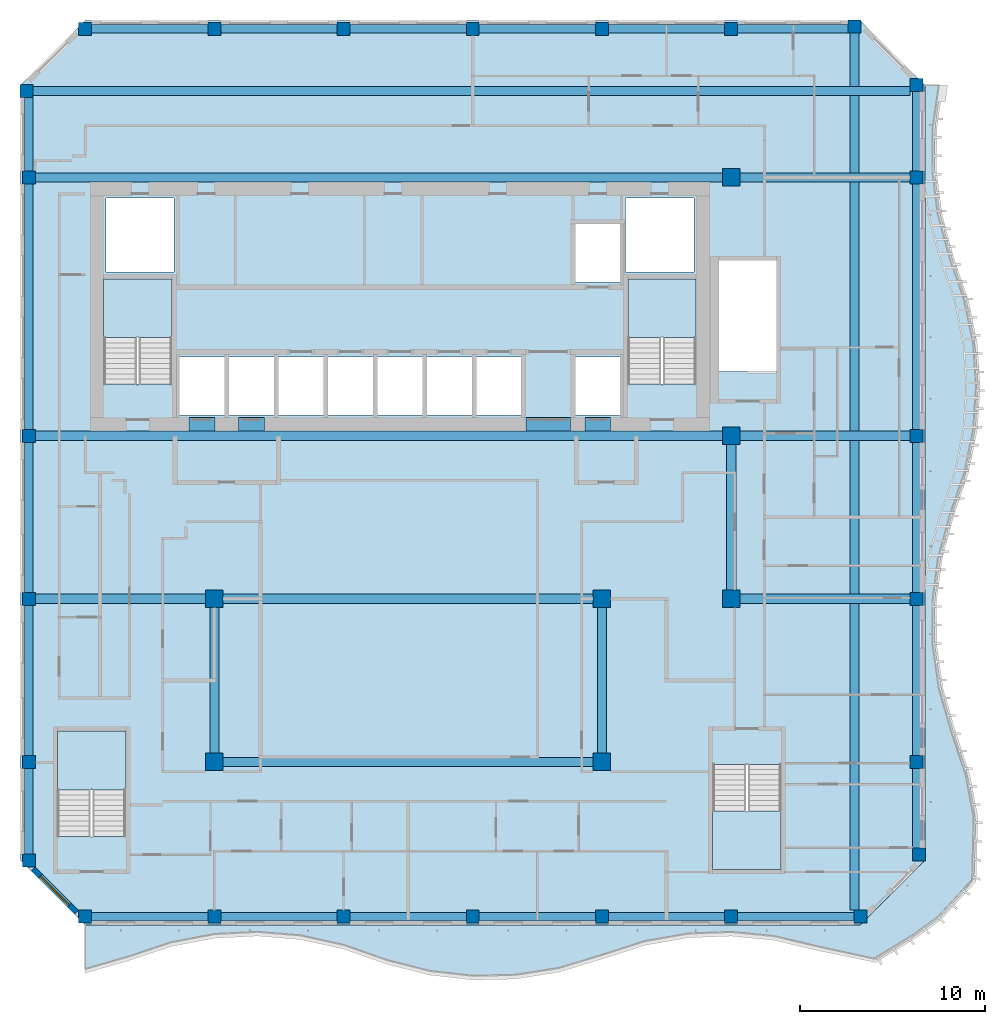
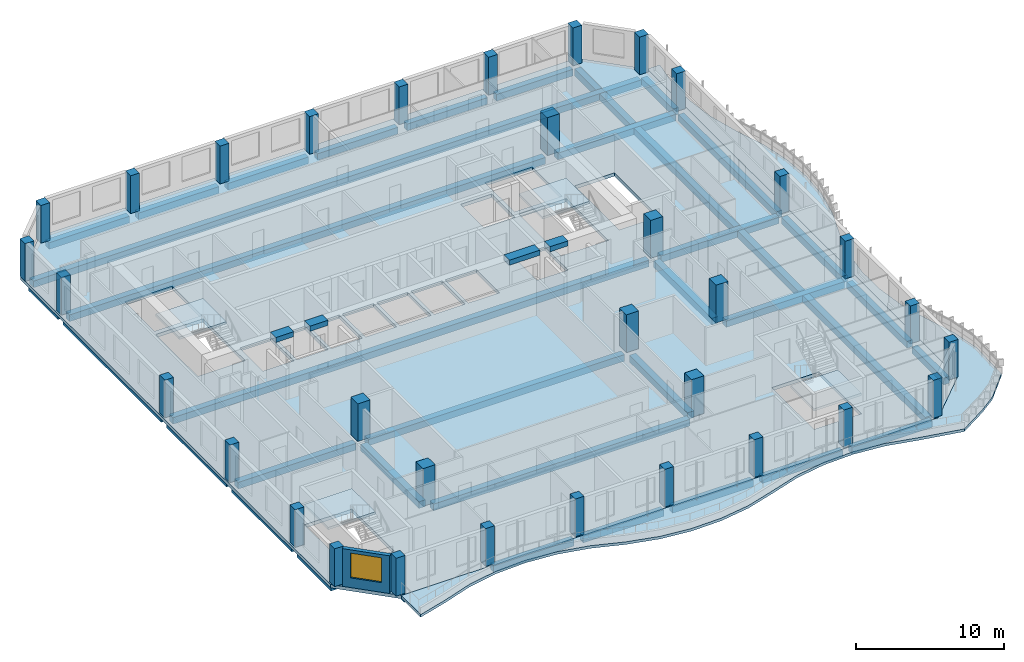
# One storey, part 1 of 18: 39 beams, 33 columns, 6 slabs, 1 wall, 1 window, 1 opening, 4 elements without a shape of their own.
"""IFC4 building model written with IfcOpenShell, lengths in metres."""

from ifc_helpers import new_model, si_unit, direction, frame, frame_2d, origin, origin_2d, place, context, subcontext, project, spatial, polyline, rectangle, outline, extrude, source, transform, mapped, material, layer, layer_set, material_profile, profile_set, type_object, element, fill, aggregate, save


model = new_model("IFC4")

# Units and contexts
model_context = context("Model", 3, precision=1e-05, world=origin(), true_north=direction((0.0, 1.0)))
body_context = subcontext(model_context, "Body", "Model", "MODEL_VIEW")
ifc_project = project(units=[si_unit("LENGTHUNIT", "METRE"), si_unit("AREAUNIT", "SQUARE_METRE"), si_unit("VOLUMEUNIT", "CUBIC_METRE"), si_unit("PLANEANGLEUNIT", "RADIAN"), si_unit("MASSUNIT", "GRAM", prefix="KILO")], contexts=[model_context])

# Site, building, storey
site_placement = place(None, origin())
site = spatial("IfcSite", under=ifc_project, at=site_placement, CompositionType="ELEMENT")
building_placement = place(site_placement, origin())
building = spatial("IfcBuilding", under=site, at=building_placement, Name="Kilnfold Tower and Market Hall", CompositionType="ELEMENT")
storey_placement = place(building_placement, frame((0.0, 0.0, 256.0)))
storey = spatial("IfcBuildingStorey", under=building, at=storey_placement, Name="L62", CompositionType="ELEMENT", Elevation=256.0)

# Columns
ifc_material_1 = material(Name="Concrete C60", Category="concrete")
ifc_material_profile_1 = material_profile(ifc_material_1, rectangle(XDim=0.699951171875, YDim=0.699951171875, at=origin_2d()), Name="RC 700x700")
ifc_profile_set_1 = profile_set([ifc_material_profile_1], Name="Concrete C60")
column_type_1 = type_object("IfcColumnType", Name="COLUMN 700X700 C60", PredefinedType="COLUMN", material=ifc_profile_set_1)
shared_shape_1 = source(origin(), body_context, "Body", "SweptSolid", [
    extrude(rectangle(XDim=0.699951171875, YDim=0.699951171875, at=origin_2d()), origin(), (0.0, 0.0, 1.0), 3.1201171875),
])
for number, where, z_axis, x_axis, name in (
    (1, (-19.181884765625, 26.681884765625, 0.0), (0.0, 0.0, 1.0), (1.0, 0.0, 0.0), "Column C-B7-1G"),
    (2, (-19.050048828125, -15.0, 0.0), (0.0, 0.0, 1.0), (1.0, 0.0, 0.0), "Column C-B7-1B"),
    (3, (-19.050048828125, -9.666748046875, 0.0), (0.0, 0.0, 1.0), (1.0, 0.0, 0.0), "Column C-B7-1C"),
    (4, (-19.050048828125, -0.833251953125, 0.0), (0.0, 0.0, 1.0), (1.0, 0.0, 0.0), "Column C-B7-1D"),
    (5, (-19.050048828125, 8.0, 0.0), (0.0, 0.0, 1.0), (1.0, 0.0, 0.0), "Column C-B7-1E"),
    (6, (-19.050048828125, 22.0, 0.0), (0.0, 0.0, 1.0), (1.0, 0.0, 0.0), "Column C-B7-1F"),
    (7, (-16.0, -18.050048828125, 0.0), (0.0, 0.0, 1.0), (1.0, 0.0, 0.0), "Column C-B7-2A"),
    (8, (-16.0, 30.050048828125, 0.0), (0.0, 0.0, 1.0), (1.0, 0.0, 0.0), "Column C-B7-2H"),
    (9, (-9.0, -18.050048828125, 0.0), (0.0, 0.0, 1.0), (1.0, 0.0, 0.0), "Column C-B7-3A"),
    (10, (-9.0, 30.050048828125, 0.0), (0.0, 0.0, 1.0), (1.0, 0.0, 0.0), "Column C-B7-3H"),
    (11, (-2.0, -18.050048828125, 0.0), (0.0, 0.0, 1.0), (1.0, 0.0, 0.0), "Column C-B7-4A"),
    (12, (-2.0, 30.050048828125, 0.0), (0.0, 0.0, 1.0), (1.0, 0.0, 0.0), "Column C-B7-4H"),
    (13, (5.0, -18.050048828125, 0.0), (0.0, 0.0, 1.0), (1.0, 0.0, 0.0), "Column C-B7-5A"),
    (14, (5.0, 30.050048828125, 0.0), (0.0, 0.0, 1.0), (1.0, 0.0, 0.0), "Column C-B7-5H"),
    (15, (12.0, -18.050048828125, 0.0), (0.0, 0.0, 1.0), (1.0, 0.0, 0.0), "Column C-B7-6A"),
    (16, (12.0, 30.050048828125, 0.0), (0.0, 0.0, 1.0), (1.0, 0.0, 0.0), "Column C-B7-6H"),
    (17, (19.0, -18.050048828125, 0.0), (0.0, 0.0, 1.0), (1.0, 0.0, 0.0), "Column C-B7-7A"),
    (18, (19.0, 30.050048828125, 0.0), (0.0, 0.0, 1.0), (1.0, 0.0, 0.0), "Column C-B7-7H"),
    (19, (25.681884765625, 30.181884765625, 0.0), (0.0, 0.0, 1.0), (1.0, 0.0, 0.0), "Column C-B7-8H"),
    (20, (26.0, -18.050048828125, 0.0), (0.0, 0.0, 1.0), (1.0, 0.0, 0.0), "Column C-B7-8A"),
    (21, (29.050048828125, -9.666748046875, 0.0), (0.0, 0.0, 1.0), (1.0, 0.0, 0.0), "Column C-B7-9C"),
    (22, (29.050048828125, -0.833251953125, 0.0), (0.0, 0.0, 1.0), (1.0, 0.0, 0.0), "Column C-B7-9D"),
    (23, (29.050048828125, 8.0, 0.0), (0.0, 0.0, 1.0), (1.0, 0.0, 0.0), "Column C-B7-9E"),
    (24, (29.050048828125, 22.0, 0.0), (0.0, 0.0, 1.0), (1.0, 0.0, 0.0), "Column C-B7-9F"),
    (25, (29.050048828125, 27.0, 0.0), (0.0, 0.0, 1.0), (1.0, 0.0, 0.0), "Column C-B7-9G"),
    (26, (29.181884765625, -14.681884765625, 0.0), (0.0, 0.0, 1.0), (1.0, 0.0, 0.0), "Column C-B7-9B"),
):
    element("IfcColumn", number, at=place(storey_placement, frame(where, z_axis=z_axis, x_axis=x_axis)), inside=storey, type_object=column_type_1, Name=name, PredefinedType="COLUMN", context=body_context, shape_type="MappedRepresentation", body=[
        mapped(shared_shape_1, transform((0.0, 0.0, 0.0))),
    ])
ifc_material_2 = material(Name="Concrete C60", Category="concrete")
ifc_material_profile_2 = material_profile(ifc_material_2, rectangle(XDim=0.949951171875, YDim=0.949951171875, at=origin_2d()), Name="RC 950x950")
ifc_profile_set_2 = profile_set([ifc_material_profile_2], Name="Concrete C60")
column_type_2 = type_object("IfcColumnType", Name="COLUMN 950X950 C60", PredefinedType="COLUMN", material=ifc_profile_set_2)
shared_shape_2 = source(origin(), body_context, "Body", "SweptSolid", [
    extrude(rectangle(XDim=0.949951171875, YDim=0.949951171875, at=origin_2d()), origin(), (0.0, 0.0, 1.0), 3.1201171875),
])
for number, where, z_axis, x_axis, name in (
    (27, (-9.0, -9.666748046875, 0.0), (0.0, 0.0, 1.0), (1.0, 0.0, 0.0), "Column C-B7-3C"),
    (28, (-9.0, -0.833251953125, 0.0), (0.0, 0.0, 1.0), (1.0, 0.0, 0.0), "Column C-B7-3D"),
    (29, (12.0, -9.666748046875, 0.0), (0.0, 0.0, 1.0), (1.0, 0.0, 0.0), "Column C-B7-6C"),
    (30, (12.0, -0.833251953125, 0.0), (0.0, 0.0, 1.0), (1.0, 0.0, 0.0), "Column C-B7-6D"),
    (31, (19.0, -0.833251953125, 0.0), (0.0, 0.0, 1.0), (1.0, 0.0, 0.0), "Column C-B7-7D"),
    (32, (19.0, 8.0, 0.0), (0.0, 0.0, 1.0), (1.0, 0.0, 0.0), "Column C-B7-7E"),
    (33, (19.0, 22.0, 0.0), (0.0, 0.0, 1.0), (1.0, 0.0, 0.0), "Column C-B7-7F"),
):
    element("IfcColumn", number, at=place(storey_placement, frame(where, z_axis=z_axis, x_axis=x_axis)), inside=storey, type_object=column_type_2, Name=name, PredefinedType="COLUMN", context=body_context, shape_type="MappedRepresentation", body=[
        mapped(shared_shape_2, transform((0.0, 0.0, 0.0))),
    ])

# Beams
ifc_material_3 = material(Name="Concrete C60", Category="concrete")
ifc_material_profile_3 = material_profile(ifc_material_3, rectangle(XDim=0.75, YDim=0.419921875, at=origin_2d()), Name="RC 750x420")
ifc_profile_set_3 = profile_set([ifc_material_profile_3], Name="Concrete C60")
beam_type_1 = type_object("IfcBeamType", Name="COUPLING BEAM 750X420 C60", PredefinedType="BEAM", material=ifc_profile_set_3)
shared_shape_3 = source(origin(), body_context, "Body", "SweptSolid", [
    extrude(rectangle(XDim=0.75, YDim=0.419921875, at=origin_2d()), origin(), (0.0, 0.0, 1.0), 1.400146484375),
])
beam_1_placement = place(storey_placement, frame((-10.3701171875, 8.625, 2.909912109375), z_axis=(1.0, 0.0, 0.0), x_axis=(0.0, 1.0, 0.0)))
element("IfcBeam", 34, at=beam_1_placement, inside=storey, type_object=beam_type_1, Name="Coupling beam CB420-60-CORE.34", PredefinedType="BEAM", context=body_context, shape_type="MappedRepresentation", body=[
    mapped(shared_shape_3, transform((0.0, 0.0, 0.0))),
])
shared_shape_4 = source(origin(), body_context, "Body", "SweptSolid", [
    extrude(rectangle(XDim=0.75, YDim=0.419921875, at=origin_2d()), origin(), (0.0, 0.0, 1.0), 1.39990234375),
])
for number, where, z_axis, x_axis, name in (
    (35, (-7.68994140625, 8.625, 2.909912109375), (1.0, 0.0, 0.0), (0.0, 1.0, 0.0), "Coupling beam CB420-60-CORE.35"),
    (36, (11.070068359375, 8.625, 2.909912109375), (1.0, 0.0, 0.0), (0.0, 1.0, 0.0), "Coupling beam CB420-60-CORE.37"),
):
    element("IfcBeam", number, at=place(storey_placement, frame(where, z_axis=z_axis, x_axis=x_axis)), inside=storey, type_object=beam_type_1, Name=name, PredefinedType="BEAM", context=body_context, shape_type="MappedRepresentation", body=[
        mapped(shared_shape_4, transform((0.0, 0.0, 0.0))),
    ])
shared_shape_5 = source(origin(), body_context, "Body", "SweptSolid", [
    extrude(rectangle(XDim=0.75, YDim=0.419921875, at=origin_2d()), origin(), (0.0, 0.0, 1.0), 2.400146484375),
])
beam_2_placement = place(storey_placement, frame((7.889892578125, 8.625, 2.909912109375), z_axis=(1.0, 0.0, 0.0), x_axis=(0.0, 1.0, 0.0)))
element("IfcBeam", 37, at=beam_2_placement, inside=storey, type_object=beam_type_1, Name="Coupling beam CB420-60-CORE.36", PredefinedType="BEAM", context=body_context, shape_type="MappedRepresentation", body=[
    mapped(shared_shape_5, transform((0.0, 0.0, 0.0))),
])
ifc_material_4 = material(Name="Concrete C45", Category="concrete")
ifc_material_profile_4 = material_profile(ifc_material_4, rectangle(XDim=0.449951171875, YDim=0.550048828125, at=origin_2d()), Name="RC 450x550")
ifc_profile_set_4 = profile_set([ifc_material_profile_4], Name="Concrete C45")
beam_type_2 = type_object("IfcBeamType", Name="EDGE BEAM 450X550 C45", PredefinedType="BEAM", material=ifc_profile_set_4)
shared_shape_6 = source(origin(), body_context, "Body", "SweptSolid", [
    extrude(rectangle(XDim=0.449951171875, YDim=0.550048828125, at=origin_2d()), origin(), (0.0, 0.0, 1.0), 13.2998046875),
])
for number, where, z_axis, x_axis, name in (
    (38, (-19.050048828125, 8.35009765625, -0.554931640625), (0.0, 1.0, 0.0), (-1.0, 0.0, 0.0), "Beam EB550-B7.50"),
    (39, (29.050048828125, 8.35009765625, -0.554931640625), (0.0, 1.0, 0.0), (-1.0, 0.0, 0.0), "Beam EB550-B7.58"),
):
    element("IfcBeam", number, at=place(storey_placement, frame(where, z_axis=z_axis, x_axis=x_axis)), inside=storey, type_object=beam_type_2, Name=name, PredefinedType="BEAM", context=body_context, shape_type="MappedRepresentation", body=[
        mapped(shared_shape_6, transform((0.0, 0.0, 0.0))),
    ])
shared_shape_7 = source(origin(), body_context, "Body", "SweptSolid", [
    extrude(rectangle(XDim=0.449951171875, YDim=0.550048828125, at=origin_2d()), origin(), (0.0, 0.0, 1.0), 6.2998046875),
])
for number, where, z_axis, x_axis, name in (
    (40, (-15.64990234375, -18.050048828125, -0.554931640625), (1.0, 0.0, 0.0), (0.0, 1.0, 0.0), "Beam EB550-B7.59"),
    (41, (-8.64990234375, -18.050048828125, -0.554931640625), (1.0, 0.0, 0.0), (0.0, 1.0, 0.0), "Beam EB550-B7.60"),
    (42, (-1.64990234375, -18.050048828125, -0.554931640625), (1.0, 0.0, 0.0), (0.0, 1.0, 0.0), "Beam EB550-B7.61"),
    (43, (5.35009765625, -18.050048828125, -0.554931640625), (1.0, 0.0, 0.0), (0.0, 1.0, 0.0), "Beam EB550-B7.62"),
    (44, (12.35009765625, -18.050048828125, -0.554931640625), (1.0, 0.0, 0.0), (0.0, 1.0, 0.0), "Beam EB550-B7.63"),
    (45, (19.35009765625, -18.050048828125, -0.554931640625), (1.0, 0.0, 0.0), (0.0, 1.0, 0.0), "Beam EB550-B7.64"),
    (46, (-15.64990234375, 30.050048828125, -0.554931640625), (1.0, 0.0, 0.0), (0.0, 1.0, 0.0), "Beam EB550-B7.72"),
    (47, (-8.64990234375, 30.050048828125, -0.554931640625), (1.0, 0.0, 0.0), (0.0, 1.0, 0.0), "Beam EB550-B7.73"),
    (48, (-1.64990234375, 30.050048828125, -0.554931640625), (1.0, 0.0, 0.0), (0.0, 1.0, 0.0), "Beam EB550-B7.74"),
    (49, (5.35009765625, 30.050048828125, -0.554931640625), (1.0, 0.0, 0.0), (0.0, 1.0, 0.0), "Beam EB550-B7.75"),
    (50, (12.35009765625, 30.050048828125, -0.554931640625), (1.0, 0.0, 0.0), (0.0, 1.0, 0.0), "Beam EB550-B7.76"),
):
    element("IfcBeam", number, at=place(storey_placement, frame(where, z_axis=z_axis, x_axis=x_axis)), inside=storey, type_object=beam_type_2, Name=name, PredefinedType="BEAM", context=body_context, shape_type="MappedRepresentation", body=[
        mapped(shared_shape_7, transform((0.0, 0.0, 0.0))),
    ])
ifc_material_5 = material(Name="Concrete C45", Category="concrete")
ifc_material_profile_5 = material_profile(ifc_material_5, rectangle(XDim=0.5, YDim=0.550048828125, at=origin_2d()), Name="RC 500x550")
ifc_profile_set_5 = profile_set([ifc_material_profile_5], Name="Concrete C45")
beam_type_3 = type_object("IfcBeamType", Name="BEAM 500X550 C45", PredefinedType="BEAM", material=ifc_profile_set_5)
shared_shape_8 = source(origin(), body_context, "Body", "SweptSolid", [
    extrude(rectangle(XDim=0.5, YDim=0.550048828125, at=origin_2d()), origin(), (0.0, 0.0, 1.0), 9.224853515625),
])
for number, where, z_axis, x_axis, name in (
    (51, (-18.699951171875, -0.830078125, -0.554931640625), (1.0, 0.0, 0.0), (0.0, 1.0, 0.0), "Beam BB550-B7.65"),
    (52, (19.47509765625, -0.830078125, -0.554931640625), (1.0, 0.0, 0.0), (0.0, 1.0, 0.0), "Beam BB550-B7.66"),
    (53, (19.47509765625, 8.0, -0.554931640625), (1.0, 0.0, 0.0), (0.0, 1.0, 0.0), "Beam BB550-B7.68"),
    (54, (19.47509765625, 22.0, -0.554931640625), (1.0, 0.0, 0.0), (0.0, 1.0, 0.0), "Beam BB550-B7.70"),
):
    element("IfcBeam", number, at=place(storey_placement, frame(where, z_axis=z_axis, x_axis=x_axis)), inside=storey, type_object=beam_type_3, Name=name, PredefinedType="BEAM", context=body_context, shape_type="MappedRepresentation", body=[
        mapped(shared_shape_8, transform((0.0, 0.0, 0.0))),
    ])
shared_shape_9 = source(origin(), body_context, "Body", "SweptSolid", [
    extrude(rectangle(XDim=0.5, YDim=0.550048828125, at=origin_2d()), origin(), (0.0, 0.0, 1.0), 37.224853515625),
])
for number, where, z_axis, x_axis, name in (
    (55, (-18.699951171875, 8.0, -0.554931640625), (1.0, 0.0, 0.0), (0.0, 1.0, 0.0), "Beam BB550-B7.67"),
    (56, (-18.699951171875, 22.0, -0.554931640625), (1.0, 0.0, 0.0), (0.0, 1.0, 0.0), "Beam BB550-B7.69"),
):
    element("IfcBeam", number, at=place(storey_placement, frame(where, z_axis=z_axis, x_axis=x_axis)), inside=storey, type_object=beam_type_3, Name=name, PredefinedType="BEAM", context=body_context, shape_type="MappedRepresentation", body=[
        mapped(shared_shape_9, transform((0.0, 0.0, 0.0))),
    ])
shared_shape_10 = source(origin(), body_context, "Body", "SweptSolid", [
    extrude(rectangle(XDim=0.5, YDim=0.550048828125, at=origin_2d()), origin(), (0.0, 0.0, 1.0), 47.53173828125),
])
for number, where, z_axis, x_axis, name in (
    (57, (-18.831787109375, 26.679931640625, -0.554931640625), (1.0, 0.0, 0.0), (0.0, 1.0, 0.0), "Beam BB550-B7.71"),
    (58, (25.679931640625, -17.699951171875, -0.554931640625), (0.0, 1.0, 0.0), (-1.0, 0.0, 0.0), "Beam BB550-B7.85"),
):
    element("IfcBeam", number, at=place(storey_placement, frame(where, z_axis=z_axis, x_axis=x_axis)), inside=storey, type_object=beam_type_3, Name=name, PredefinedType="BEAM", context=body_context, shape_type="MappedRepresentation", body=[
        mapped(shared_shape_10, transform((0.0, 0.0, 0.0))),
    ])
shared_shape_11 = source(origin(), body_context, "Body", "SweptSolid", [
    extrude(rectangle(XDim=0.449951171875, YDim=0.550048828125, at=origin_2d()), origin(), (0.0, 0.0, 1.0), 5.981689453125),
])
beam_3_placement = place(storey_placement, frame((19.35009765625, 30.050048828125, -0.554931640625), z_axis=(1.0, 0.0, 0.0), x_axis=(0.0, 1.0, 0.0)))
element("IfcBeam", 59, at=beam_3_placement, inside=storey, type_object=beam_type_2, Name="Beam EB550-B7.77", PredefinedType="BEAM", context=body_context, shape_type="MappedRepresentation", body=[
    mapped(shared_shape_11, transform((0.0, 0.0, 0.0))),
])
shared_shape_12 = source(origin(), body_context, "Body", "SweptSolid", [
    extrude(rectangle(XDim=0.449951171875, YDim=0.550048828125, at=origin_2d()), origin(), (0.0, 0.0, 1.0), 4.63330078125),
])
beam_4_placement = place(storey_placement, frame((-19.050048828125, -14.64990234375, -0.554931640625), z_axis=(0.0, 1.0, 0.0), x_axis=(-1.0, 0.0, 0.0)))
element("IfcBeam", 60, at=beam_4_placement, inside=storey, type_object=beam_type_2, Name="Beam EB550-B7.78", PredefinedType="BEAM", context=body_context, shape_type="MappedRepresentation", body=[
    mapped(shared_shape_12, transform((0.0, 0.0, 0.0))),
])
shared_shape_13 = source(origin(), body_context, "Body", "SweptSolid", [
    extrude(rectangle(XDim=0.449951171875, YDim=0.550048828125, at=origin_2d()), origin(), (0.0, 0.0, 1.0), 8.13330078125),
])
for number, where, z_axis, x_axis, name in (
    (61, (-19.050048828125, -9.316650390625, -0.554931640625), (0.0, 1.0, 0.0), (-1.0, 0.0, 0.0), "Beam EB550-B7.79"),
    (62, (-19.050048828125, -0.4833984375, -0.554931640625), (0.0, 1.0, 0.0), (-1.0, 0.0, 0.0), "Beam EB550-B7.80"),
    (63, (29.050048828125, -9.316650390625, -0.554931640625), (0.0, 1.0, 0.0), (-1.0, 0.0, 0.0), "Beam EB550-B7.87"),
    (64, (29.050048828125, -0.4833984375, -0.554931640625), (0.0, 1.0, 0.0), (-1.0, 0.0, 0.0), "Beam EB550-B7.88"),
):
    element("IfcBeam", number, at=place(storey_placement, frame(where, z_axis=z_axis, x_axis=x_axis)), inside=storey, type_object=beam_type_2, Name=name, PredefinedType="BEAM", context=body_context, shape_type="MappedRepresentation", body=[
        mapped(shared_shape_13, transform((0.0, 0.0, 0.0))),
    ])
shared_shape_14 = source(origin(), body_context, "Body", "SweptSolid", [
    extrude(rectangle(XDim=0.449951171875, YDim=0.550048828125, at=origin_2d()), origin(), (0.0, 0.0, 1.0), 3.981689453125),
])
beam_5_placement = place(storey_placement, frame((-19.050048828125, 22.35009765625, -0.554931640625), z_axis=(0.0, 1.0, 0.0), x_axis=(-1.0, 0.0, 0.0)))
element("IfcBeam", 65, at=beam_5_placement, inside=storey, type_object=beam_type_2, Name="Beam EB550-B7.81", PredefinedType="BEAM", context=body_context, shape_type="MappedRepresentation", body=[
    mapped(shared_shape_14, transform((0.0, 0.0, 0.0))),
])
shared_shape_15 = source(origin(), body_context, "Body", "SweptSolid", [
    extrude(rectangle(XDim=0.5, YDim=0.550048828125, at=origin_2d()), origin(), (0.0, 0.0, 1.0), 7.88330078125),
])
for number, where, z_axis, x_axis, name in (
    (66, (-9.0, -9.191650390625, -0.554931640625), (0.0, 1.0, 0.0), (-1.0, 0.0, 0.0), "Beam BB550-B7.82"),
    (67, (12.0, -9.191650390625, -0.554931640625), (0.0, 1.0, 0.0), (-1.0, 0.0, 0.0), "Beam BB550-B7.83"),
    (68, (19.0, -0.3583984375, -0.554931640625), (0.0, 1.0, 0.0), (-1.0, 0.0, 0.0), "Beam BB550-B7.84"),
):
    element("IfcBeam", number, at=place(storey_placement, frame(where, z_axis=z_axis, x_axis=x_axis)), inside=storey, type_object=beam_type_3, Name=name, PredefinedType="BEAM", context=body_context, shape_type="MappedRepresentation", body=[
        mapped(shared_shape_15, transform((0.0, 0.0, 0.0))),
    ])
shared_shape_16 = source(origin(), body_context, "Body", "SweptSolid", [
    extrude(rectangle(XDim=0.449951171875, YDim=0.550048828125, at=origin_2d()), origin(), (0.0, 0.0, 1.0), 4.315185546875),
])
beam_6_placement = place(storey_placement, frame((29.050048828125, -14.331787109375, -0.554931640625), z_axis=(0.0, 1.0, 0.0), x_axis=(-1.0, 0.0, 0.0)))
element("IfcBeam", 69, at=beam_6_placement, inside=storey, type_object=beam_type_2, Name="Beam EB550-B7.86", PredefinedType="BEAM", context=body_context, shape_type="MappedRepresentation", body=[
    mapped(shared_shape_16, transform((0.0, 0.0, 0.0))),
])
shared_shape_17 = source(origin(), body_context, "Body", "SweptSolid", [
    extrude(rectangle(XDim=0.449951171875, YDim=0.550048828125, at=origin_2d()), origin(), (0.0, 0.0, 1.0), 4.2998046875),
])
beam_7_placement = place(storey_placement, frame((29.050048828125, 22.35009765625, -0.554931640625), z_axis=(0.0, 1.0, 0.0), x_axis=(-1.0, 0.0, 0.0)))
element("IfcBeam", 70, at=beam_7_placement, inside=storey, type_object=beam_type_2, Name="Beam EB550-B7.89", PredefinedType="BEAM", context=body_context, shape_type="MappedRepresentation", body=[
    mapped(shared_shape_17, transform((0.0, 0.0, 0.0))),
])
shared_shape_18 = source(origin(), body_context, "Body", "SweptSolid", [
    extrude(rectangle(XDim=0.5, YDim=0.550048828125, at=origin_2d()), origin(), (0.0, 0.0, 1.0), 20.0498046875),
])
for number, where, z_axis, x_axis, name in (
    (71, (-8.52490234375, -9.669921875, -0.554931640625), (1.0, 0.0, 0.0), (0.0, 1.0, 0.0), "Beam BB550-B7.90"),
    (72, (-8.52490234375, -0.830078125, -0.554931640625), (1.0, 0.0, 0.0), (0.0, 1.0, 0.0), "Beam BB550-B7.91"),
):
    element("IfcBeam", number, at=place(storey_placement, frame(where, z_axis=z_axis, x_axis=x_axis)), inside=storey, type_object=beam_type_3, Name=name, PredefinedType="BEAM", context=body_context, shape_type="MappedRepresentation", body=[
        mapped(shared_shape_18, transform((0.0, 0.0, 0.0))),
    ])

# Slabs
ifc_material_6 = material(Name="Concrete C45", Category="concrete")
ifc_layer_1 = layer(ifc_material_6, 0.280029296875)
ifc_layer_set_1 = layer_set([ifc_layer_1], Name="Concrete C45")
slab_type_1 = type_object("IfcSlabType", Name="FLOOR SLAB 280", PredefinedType="FLOOR", material=ifc_layer_set_1)
shared_shape_19 = source(origin(), body_context, "Body", "SweptSolid", [
    extrude(outline(polyline([(-16.0, -18.5), (26.0, -18.5), (29.5, -15.0), (29.5, 27.0), (26.0, 30.5), (-16.0, 30.5), (-19.5, 27.0), (-19.5, -15.0), (-16.0, -18.5)]), holes=[polyline([(-13.800537109375, -13.699462890625), (-17.49951171875, -13.699462890625), (-17.49951171875, -8.00048828125), (-13.800537109375, -8.00048828125), (-13.800537109375, -13.699462890625)]), polyline([(-11.300537109375, 10.800537109375), (-14.99951171875, 10.800537109375), (-14.99951171875, 16.49951171875), (-11.300537109375, 16.49951171875), (-11.300537109375, 10.800537109375)]), polyline([(-11.175048828125, 16.875), (-14.875, 16.875), (-14.875, 20.875), (-11.175048828125, 20.875), (-11.175048828125, 16.875)]), polyline([(-8.455078125, 9.125), (-10.885009765625, 9.125), (-10.885009765625, 12.27490234375), (-8.455078125, 12.27490234375), (-8.455078125, 9.125)]), polyline([(-5.77490234375, 9.125), (-8.205078125, 9.125), (-8.205078125, 12.27490234375), (-5.77490234375, 12.27490234375), (-5.77490234375, 9.125)]), polyline([(-3.094970703125, 9.125), (-5.52490234375, 9.125), (-5.52490234375, 12.27490234375), (-3.094970703125, 12.27490234375), (-3.094970703125, 9.125)]), polyline([(-0.4150390625, 9.125), (-2.844970703125, 9.125), (-2.844970703125, 12.27490234375), (-0.4150390625, 12.27490234375), (-0.4150390625, 9.125)]), polyline([(2.264892578125, 9.125), (-0.1650390625, 9.125), (-0.1650390625, 12.27490234375), (2.264892578125, 12.27490234375), (2.264892578125, 9.125)]), polyline([(4.945068359375, 9.125), (2.514892578125, 9.125), (2.514892578125, 12.27490234375), (4.945068359375, 12.27490234375), (4.945068359375, 9.125)]), polyline([(7.625, 9.125), (5.195068359375, 9.125), (5.195068359375, 12.27490234375), (7.625, 12.27490234375), (7.625, 9.125)]), polyline([(12.985107421875, 9.125), (10.554931640625, 9.125), (10.554931640625, 12.27490234375), (12.985107421875, 12.27490234375), (12.985107421875, 9.125)]), polyline([(12.985107421875, 16.324951171875), (10.554931640625, 16.324951171875), (10.554931640625, 19.47509765625), (12.985107421875, 19.47509765625), (12.985107421875, 16.324951171875)]), polyline([(16.97509765625, 16.875), (13.27490234375, 16.875), (13.27490234375, 20.875), (16.97509765625, 20.875), (16.97509765625, 16.875)]), polyline([(17.099609375, 10.800537109375), (13.400390625, 10.800537109375), (13.400390625, 16.49951171875), (17.099609375, 16.49951171875), (17.099609375, 10.800537109375)]), polyline([(18.00048828125, -9.800537109375), (21.699462890625, -9.800537109375), (21.699462890625, -15.49951171875), (18.00048828125, -15.49951171875), (18.00048828125, -9.800537109375)]), polyline([(21.449462890625, 11.50048828125), (18.3505859375, 11.50048828125), (18.3505859375, 17.49951171875), (21.449462890625, 17.49951171875), (21.449462890625, 11.50048828125)])]), origin(), (0.0, 0.0, 1.0), 0.280029296875),
])
slab_1_placement = place(storey_placement, frame((0.0, 0.0, -0.280029296875)))
element("IfcSlab", 73, at=slab_1_placement, inside=storey, type_object=slab_type_1, Name="Floor slab L62", PredefinedType="FLOOR", context=body_context, shape_type="MappedRepresentation", body=[
    mapped(shared_shape_19, transform((0.0, 0.0, 0.0))),
])
ifc_material_7 = material(Name="Concrete C40/50", Category="concrete")
ifc_layer_2 = layer(ifc_material_7, 0.219970703125)
ifc_layer_set_2 = layer_set([ifc_layer_2], Name="Concrete C40/50")
slab_type_2 = type_object("IfcSlabType", Name="BALCONY SLAB 220", PredefinedType="FLOOR", material=ifc_layer_set_2)
shared_shape_20 = source(origin(), body_context, "Body", "SweptSolid", [
    extrude(outline(polyline([(-16.0, -18.5), (26.0, -18.5), (29.5, -15.0), (29.5, 27.0), (30.482421875, 27.0), (30.1484375, 24.666748046875), (30.130859375, 22.333251953125), (30.428955078125, 20.0), (31.059814453125, 17.666748046875), (31.862060546875, 15.333251953125), (32.34228515625, 13.0), (32.5, 10.666748046875), (32.343505859375, 8.333251953125), (31.864501953125, 6.0), (31.06298828125, 3.666748046875), (30.4306640625, 1.333251953125), (30.13134765625, -1.0), (30.147705078125, -3.333251953125), (30.480712890625, -5.666748046875), (31.1494140625, -8.0), (31.930419921875, -10.333251953125), (32.374755859375, -12.666748046875), (32.27001953125, -16.1474609375), (30.38134765625, -18.214599609375), (29.02978515625, -19.1962890625), (26.844482421875, -20.53857421875), (23.666748046875, -19.88671875), (21.333251953125, -19.33349609375), (19.0, -19.107421875), (16.666748046875, -19.19580078125), (14.333251953125, -19.603515625), (12.0, -20.35302734375), (9.666748046875, -21.061767578125), (7.333251953125, -21.430908203125), (5.0, -21.482421875), (2.666748046875, -21.218994140625), (0.333251953125, -20.62548828125), (-2.0, -19.810302734375), (-4.333251953125, -19.293701171875), (-6.666748046875, -19.101806640625), (-9.0, -19.22412109375), (-11.333251953125, -19.66748046875), (-13.666748046875, -20.447265625), (-16.0, -21.117431640625), (-16.0, -18.5)])), origin(), (0.0, 0.0, 1.0), 0.219970703125),
])
slab_2_placement = place(storey_placement, frame((0.0, 0.0, -0.219970703125)))
element("IfcSlab", 74, at=slab_2_placement, inside=storey, type_object=slab_type_2, Name="Balcony slab L62", PredefinedType="FLOOR", context=body_context, shape_type="MappedRepresentation", body=[
    mapped(shared_shape_20, transform((0.0, 0.0, 0.0))),
])

# Stair, slab
ifc_material_8 = material(Name="Concrete C40/50", Category="concrete")
stair_type = type_object("IfcStairType", Name="CORE STAIR 1800", PredefinedType="HALF_TURN_STAIR", material=ifc_material_8)
stair_1_placement = place(storey_placement, origin())
stair_1 = element("IfcStair", 75, at=stair_1_placement, inside=storey, type_object=stair_type, Name="L62 ST1", PredefinedType="HALF_TURN_STAIR")
ifc_material_9 = material(Name="Concrete C40/50", Category="concrete")
ifc_layer_3 = layer(ifc_material_9, 0.199951171875)
ifc_layer_set_3 = layer_set([ifc_layer_3], Name="Concrete C40/50")
slab_type_3 = type_object("IfcSlabType", Name="CORE STAIR LANDING 200", PredefinedType="LANDING", material=ifc_layer_set_3)
shared_shape_21 = source(origin(), body_context, "Body", "SweptSolid", [
    extrude(outline(polyline([(-11.300048828125, 13.320068359375), (-11.300048828125, 16.5), (-15.0, 16.5), (-15.0, 13.320068359375), (-11.300048828125, 13.320068359375)])), origin(), (0.0, 0.0, 1.0), 0.199951171875),
])
slab_3_placement = place(storey_placement, frame((0.0, 0.0, 1.5)))
slab_3 = element("IfcSlab", 76, at=slab_3_placement, type_object=slab_type_3, Name="ST1 landing 1", PredefinedType="LANDING", context=body_context, shape_type="MappedRepresentation", body=[
    mapped(shared_shape_21, transform((0.0, 0.0, 0.0))),
])
aggregate(stair_1, [slab_3])

stair_2_placement = place(storey_placement, origin())
stair_2 = element("IfcStair", 77, at=stair_2_placement, inside=storey, type_object=stair_type, Name="L62 ST2", PredefinedType="HALF_TURN_STAIR")
shared_shape_22 = source(origin(), body_context, "Body", "SweptSolid", [
    extrude(outline(polyline([(17.10009765625, 13.320068359375), (17.10009765625, 16.5), (13.39990234375, 16.5), (13.39990234375, 13.320068359375), (17.10009765625, 13.320068359375)])), origin(), (0.0, 0.0, 1.0), 0.199951171875),
])
slab_4_placement = place(storey_placement, frame((0.0, 0.0, 1.5)))
slab_4 = element("IfcSlab", 78, at=slab_4_placement, type_object=slab_type_3, Name="ST2 landing 1", PredefinedType="LANDING", context=body_context, shape_type="MappedRepresentation", body=[
    mapped(shared_shape_22, transform((0.0, 0.0, 0.0))),
])
aggregate(stair_2, [slab_4])

stair_3_placement = place(storey_placement, origin())
stair_3 = element("IfcStair", 79, at=stair_3_placement, inside=storey, type_object=stair_type, Name="L62 ST3", PredefinedType="HALF_TURN_STAIR")
shared_shape_23 = source(origin(), body_context, "Body", "SweptSolid", [
    extrude(outline(polyline([(-13.800048828125, -11.179931640625), (-13.800048828125, -8.0), (-17.5, -8.0), (-17.5, -11.179931640625), (-13.800048828125, -11.179931640625)])), origin(), (0.0, 0.0, 1.0), 0.199951171875),
])
slab_5_placement = place(storey_placement, frame((0.0, 0.0, 1.5)))
slab_5 = element("IfcSlab", 80, at=slab_5_placement, type_object=slab_type_3, Name="ST3 landing 1", PredefinedType="LANDING", context=body_context, shape_type="MappedRepresentation", body=[
    mapped(shared_shape_23, transform((0.0, 0.0, 0.0))),
])
aggregate(stair_3, [slab_5])

stair_4_placement = place(storey_placement, origin())
stair_4 = element("IfcStair", 81, at=stair_4_placement, inside=storey, type_object=stair_type, Name="L62 ST4", PredefinedType="HALF_TURN_STAIR")
shared_shape_24 = source(origin(), body_context, "Body", "SweptSolid", [
    extrude(outline(polyline([(18.0, -12.320068359375), (18.0, -15.5), (21.699951171875, -15.5), (21.699951171875, -12.320068359375), (18.0, -12.320068359375)])), origin(), (0.0, 0.0, 1.0), 0.199951171875),
])
slab_6_placement = place(storey_placement, frame((0.0, 0.0, 1.5)))
slab_6 = element("IfcSlab", 82, at=slab_6_placement, type_object=slab_type_3, Name="ST4 landing 1", PredefinedType="LANDING", context=body_context, shape_type="MappedRepresentation", body=[
    mapped(shared_shape_24, transform((0.0, 0.0, 0.0))),
])
aggregate(stair_4, [slab_6])

# Wall, opening, window
ifc_material_10 = material(Name="Precast concrete C50/60", Category="concrete")
ifc_layer_4 = layer(ifc_material_10, 0.300048828125)
ifc_layer_set_4 = layer_set([ifc_layer_4], Name="Precast concrete C50/60")
wall_type = type_object("IfcWallType", Name="PRECAST WALL 300", PredefinedType="SOLIDWALL", material=ifc_layer_set_4)
shared_shape_25 = source(origin(), body_context, "Body", "SweptSolid", [
    extrude(rectangle(XDim=3.323486328125, YDim=0.300048828125, at=frame_2d((1.66162109375, 0.0))), origin(), (0.0, 0.0, 1.0), 3.1201171875),
])
wall_placement = place(storey_placement, frame((-18.81884765625, -15.468994140625, 0.0), z_axis=(0.0, 0.0, 1.0), x_axis=(0.707070049321, -0.707143511144, 0.0)))
wall = element("IfcWall", 83, at=wall_placement, inside=storey, type_object=wall_type, Name="External wall L62 SW", PredefinedType="SOLIDWALL", context=body_context, shape_type="MappedRepresentation", body=[
    mapped(shared_shape_25, transform((0.0, 0.0, 0.0))),
])
opening_placement = place(wall_placement, frame((0.561767578125, 0.0, 0.800048828125)))
opening = element("IfcOpeningElement", 84, at=opening_placement, cuts=wall, Name="Opening W3", PredefinedType="OPENING", context=body_context, shape_type="SweptSolid", body=[
    extrude(rectangle(XDim=2.199951171875, YDim=2.050048828125, at=frame_2d((1.10009765625, 1.02490234375))), frame((0.0, 0.16015625, 0.0), z_axis=(0.0, -1.0, 0.0), x_axis=(1.0, 0.0, 0.0)), (0.0, 0.0, 1.0), 0.320068359375),
])
ifc_material_11 = material(Name="Aluminium frame and double glazing", Category="aluminium")
window_type = type_object("IfcWindowType", Name="WINDOW W3 2200X2050", PartitioningType="SINGLE_PANEL", PredefinedType="WINDOW", material=ifc_material_11)
window_placement = place(opening_placement, origin())
window = element("IfcWindow", 85, at=window_placement, inside=storey, type_object=window_type, Name="Window W3 L62 SW-1", OverallHeight=2.050048828125, OverallWidth=2.199951171875, PartitioningType="SINGLE_PANEL", PredefinedType="WINDOW", context=body_context, shape_type="SweptSolid", body=[
    extrude(rectangle(XDim=2.199951171875, YDim=2.050048828125, at=frame_2d((1.10009765625, 1.02490234375))), frame((0.0, 0.030029296875, 0.0), z_axis=(0.0, -1.0, 0.0), x_axis=(1.0, 0.0, 0.0)), (0.0, 0.0, 1.0), 0.06005859375),
])
fill(opening, window)

save(model, "model.ifc")
